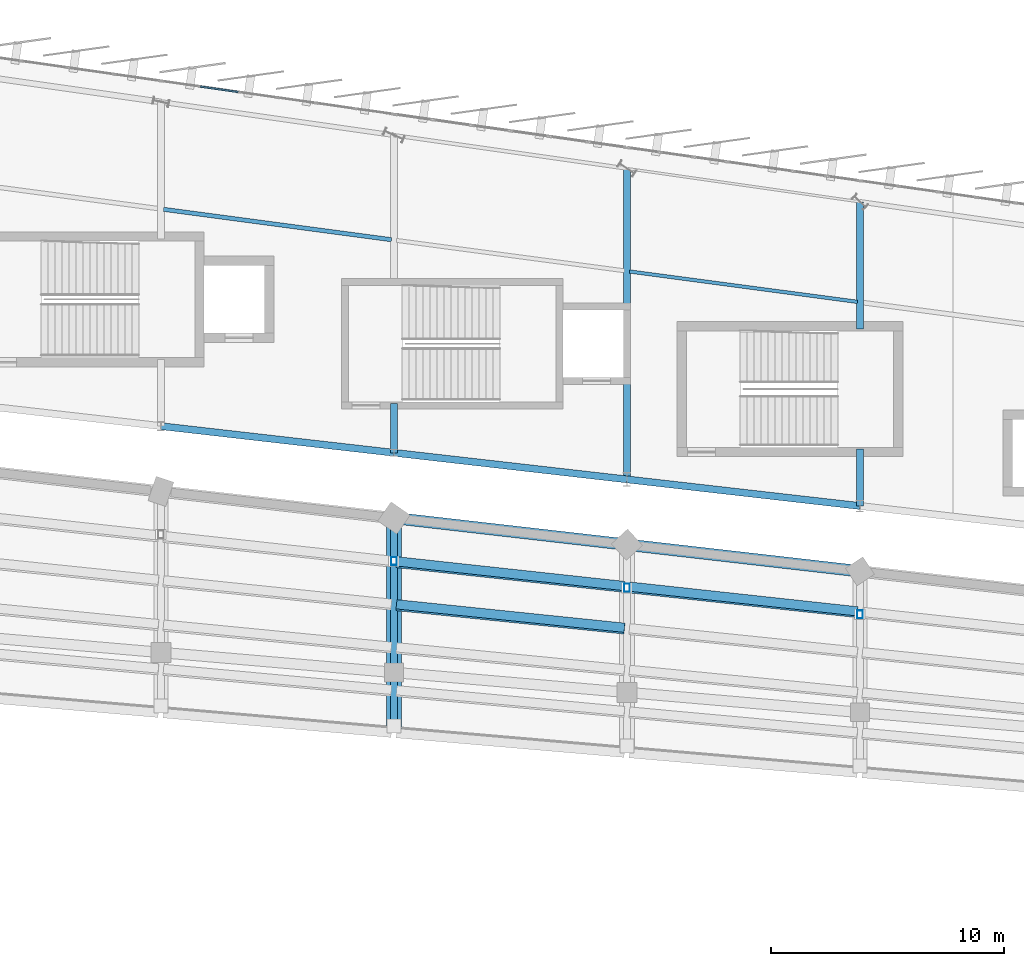
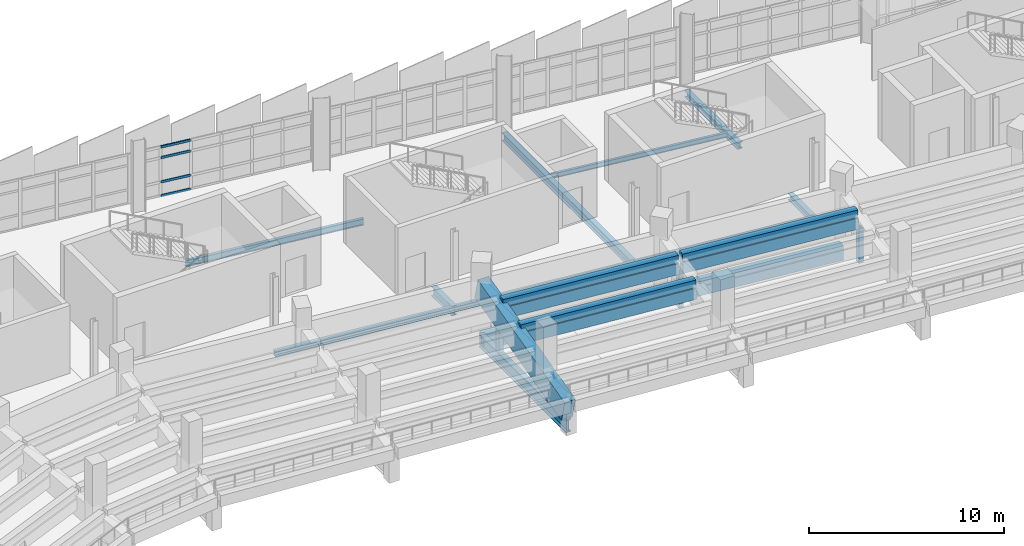
# One storey, part 53 of 120: 19 beams, 7 members, 1 element without a shape of its own.
"""IFC4 building model written with IfcOpenShell, lengths in metres."""

from ifc_helpers import new_model, si_unit, direction, frame, origin, origin_2d, place, context, subcontext, project, spatial, rectangle, hollow_rectangle, i_section, extrude, material, layer, layer_set, material_profile, profile_set, type_object, element, aggregate, save


model = new_model("IFC4")

# Units and contexts
model_context = context("Model", 3, precision=1e-05, world=origin(), true_north=direction((0.0, 1.0)))
body_context = subcontext(model_context, "Body", "Model", "MODEL_VIEW")
ifc_project = project(units=[si_unit("LENGTHUNIT", "METRE"), si_unit("AREAUNIT", "SQUARE_METRE"), si_unit("VOLUMEUNIT", "CUBIC_METRE"), si_unit("PLANEANGLEUNIT", "RADIAN"), si_unit("MASSUNIT", "GRAM", prefix="KILO")], contexts=[model_context])

# Site, building, storey
site_placement = place(None, origin())
site = spatial("IfcSite", under=ifc_project, at=site_placement, CompositionType="ELEMENT")
building_placement = place(site_placement, origin())
building = spatial("IfcBuilding", under=site, at=building_placement, Name="Sohan Crest Arena", CompositionType="ELEMENT")
storey_placement = place(building_placement, frame((0.0, 0.0, 13.5)))
storey = spatial("IfcBuildingStorey", under=building, at=storey_placement, Name="L03", CompositionType="ELEMENT", Elevation=13.5)

# Curtain wall, members
ifc_material_1 = material(Name="Thermally broken anodised aluminium", Category="aluminium")
ifc_layer = layer(ifc_material_1, 0.219970703125, Name="Thermally broken anodised aluminium")
ifc_layer_set = layer_set([ifc_layer], Name="Thermally broken anodised aluminium")
curtain_wall_type = type_object("IfcCurtainWallType", Name="ARC-CW03", PredefinedType="NOTDEFINED", material=ifc_layer_set)
curtain_wall_placement = place(storey_placement, origin())
curtain_wall = element("IfcCurtainWall", 1, at=curtain_wall_placement, inside=storey, type_object=curtain_wall_type, Name="Unitised curtain wall CW-110", PredefinedType="NOTDEFINED")
ifc_material_profile_1 = material_profile(ifc_material_1, rectangle(XDim=0.070068359375, YDim=0.14990234375, at=origin_2d()), Name="ALU-TRAN 70x150")
ifc_profile_set_1 = profile_set([ifc_material_profile_1], Name="Thermally broken anodised aluminium")
member_type_1 = type_object("IfcMemberType", Name="ARC-CW-TR03", PredefinedType="USERDEFINED", material=ifc_profile_set_1)
member_1_placement = place(storey_placement, frame((111.3037109375, 124.999267578125, 0.034912109375), z_axis=(-0.989961518774, 0.141337154868, 0.0), x_axis=(-0.141337154868, -0.989961518774, 0.0)))
member_1 = element("IfcMember", 2, at=member_1_placement, type_object=member_type_1, Name="CW-110 transom 5.1", ObjectType="TRANSOM", PredefinedType="USERDEFINED", context=body_context, shape_type="SweptSolid", body=[
    extrude(rectangle(XDim=0.070068359375, YDim=0.14990234375, at=origin_2d()), origin(), (0.0, 0.0, 1.0), 1.623779296875),
])
member_2_placement = place(storey_placement, frame((111.3037109375, 124.999267578125, 0.89990234375), z_axis=(-0.989961518774, 0.141337154868, 0.0), x_axis=(-0.141337154868, -0.989961518774, 0.0)))
member_2 = element("IfcMember", 3, at=member_2_placement, type_object=member_type_1, Name="CW-110 transom 5.2", ObjectType="TRANSOM", PredefinedType="USERDEFINED", context=body_context, shape_type="SweptSolid", body=[
    extrude(rectangle(XDim=0.070068359375, YDim=0.14990234375, at=origin_2d()), origin(), (0.0, 0.0, 1.0), 1.623779296875),
])
member_3_placement = place(storey_placement, frame((111.3037109375, 124.999267578125, 2.419921875), z_axis=(-0.989961518774, 0.141337154868, 0.0), x_axis=(-0.141337154868, -0.989961518774, 0.0)))
member_3 = element("IfcMember", 4, at=member_3_placement, type_object=member_type_1, Name="CW-110 transom 5.3", ObjectType="TRANSOM", PredefinedType="USERDEFINED", context=body_context, shape_type="SweptSolid", body=[
    extrude(rectangle(XDim=0.070068359375, YDim=0.14990234375, at=origin_2d()), origin(), (0.0, 0.0, 1.0), 1.623779296875),
])
member_4_placement = place(storey_placement, frame((111.3037109375, 124.999267578125, 3.0849609375), z_axis=(-0.989961518774, 0.141337154868, 0.0), x_axis=(-0.141337154868, -0.989961518774, 0.0)))
member_4 = element("IfcMember", 5, at=member_4_placement, type_object=member_type_1, Name="CW-110 transom 5.4", ObjectType="TRANSOM", PredefinedType="USERDEFINED", context=body_context, shape_type="SweptSolid", body=[
    extrude(rectangle(XDim=0.070068359375, YDim=0.14990234375, at=origin_2d()), origin(), (0.0, 0.0, 1.0), 1.623779296875),
])
aggregate(curtain_wall, [member_1, member_2, member_3, member_4])

# Beams
ifc_material_2 = material(Name="Steel S355", Category="steel")
ifc_material_profile_2 = material_profile(ifc_material_2, i_section(OverallWidth=0.14990234375, OverallDepth=0.300048828125, WebThickness=0.007080078125, FlangeThickness=0.0107421875, at=origin_2d()), Name="IPE 300")
ifc_profile_set_2 = profile_set([ifc_material_profile_2], Name="Steel S355")
beam_type_1 = type_object("IfcBeamType", Name="STR-BM-B01", PredefinedType="JOIST", material=ifc_profile_set_2)
beam_1_placement = place(storey_placement, frame((137.89111328125, 115.991943359375, -0.39990234375), z_axis=(-0.991232437337, 0.132129690721, 0.0), x_axis=(-0.132129690721, -0.991232437337, 0.0)))
element("IfcBeam", 6, at=beam_1_placement, inside=storey, type_object=beam_type_1, Name="Structural beam J-L03-1538", PredefinedType="JOIST", context=body_context, shape_type="SweptSolid", body=[
    extrude(i_section(OverallWidth=0.14990234375, OverallDepth=0.300048828125, WebThickness=0.007080078125, FlangeThickness=0.0107421875, at=origin_2d()), origin(), (0.0, 0.0, 1.0), 9.86865234375),
])
ifc_material_profile_3 = material_profile(ifc_material_2, i_section(OverallWidth=0.179931640625, OverallDepth=0.39990234375, WebThickness=0.008544921875, FlangeThickness=0.013427734375, at=origin_2d()), Name="IPE 400")
ifc_profile_set_3 = profile_set([ifc_material_profile_3], Name="Steel S355")
beam_type_2 = type_object("IfcBeamType", Name="STR-BM-B03", PredefinedType="JOIST", material=ifc_profile_set_3)
beam_2_placement = place(storey_placement, frame((117.89111328125, 118.659912109375, -0.449951171875), z_axis=(-0.991229196985, 0.132153997462, 0.0), x_axis=(-0.132153997462, -0.991229196985, 0.0)))
element("IfcBeam", 7, at=beam_2_placement, inside=storey, type_object=beam_type_2, Name="Structural beam J-L03-1547", PredefinedType="JOIST", context=body_context, shape_type="SweptSolid", body=[
    extrude(i_section(OverallWidth=0.179931640625, OverallDepth=0.39990234375, WebThickness=0.008544921875, FlangeThickness=0.013427734375, at=origin_2d()), origin(), (0.0, 0.0, 1.0), 9.868896484375),
])
ifc_material_profile_4 = material_profile(ifc_material_2, i_section(OverallWidth=0.300048828125, OverallDepth=0.590087890625, WebThickness=0.012939453125, FlangeThickness=0.02490234375, at=origin_2d()), Name="HEA 600")
ifc_profile_set_4 = profile_set([ifc_material_profile_4], Name="Steel S355")
beam_type_3 = type_object("IfcBeamType", Name="STR-BM-B11", PredefinedType="BEAM", material=ifc_profile_set_4)
beam_3_placement = place(storey_placement, frame((118.0, 109.513916015625, -0.544921875), z_axis=(0.0, 1.0, 0.0), x_axis=(-1.0, 0.0, 0.0)))
element("IfcBeam", 8, at=beam_3_placement, inside=storey, type_object=beam_type_3, Name="Structural beam G-L03-1543", PredefinedType="BEAM", context=body_context, shape_type="SweptSolid", body=[
    extrude(i_section(OverallWidth=0.300048828125, OverallDepth=0.590087890625, WebThickness=0.012939453125, FlangeThickness=0.02490234375, at=origin_2d()), origin(), (0.0, 0.0, 1.0), 2.106201171875),
])
ifc_material_profile_5 = material_profile(ifc_material_2, i_section(OverallWidth=0.300048828125, OverallDepth=0.300048828125, WebThickness=0.010986328125, FlangeThickness=0.01904296875, at=origin_2d()), Name="HEB 300")
ifc_profile_set_5 = profile_set([ifc_material_profile_5], Name="Steel S355")
beam_type_4 = type_object("IfcBeamType", Name="STR-BM-B12", PredefinedType="BEAM", material=ifc_profile_set_5)
beam_4_placement = place(storey_placement, frame((138.0, 107.22900390625, -0.39990234375), z_axis=(-0.993541269973, 0.113471339378, 0.0), x_axis=(-0.113471339378, -0.993541269973, 0.0)))
element("IfcBeam", 9, at=beam_4_placement, inside=storey, type_object=beam_type_4, Name="Structural beam G-L03-1536", PredefinedType="BEAM", context=body_context, shape_type="SweptSolid", body=[
    extrude(i_section(OverallWidth=0.300048828125, OverallDepth=0.300048828125, WebThickness=0.010986328125, FlangeThickness=0.01904296875, at=origin_2d()), origin(), (0.0, 0.0, 1.0), 10.06494140625),
])
for number, where, z_axis, x_axis, name in (
    (10, (128.0, 108.37109375, -0.39990234375), (-0.993533063564, 0.113543170668, 0.0), (-0.113543170668, -0.993533063564, 0.0), "Structural beam G-L03-1540"),
    (11, (118.0, 109.513916015625, -0.39990234375), (-0.99353032697, 0.113567114035, 0.0), (-0.113567114035, -0.99353032697, 0.0), "Structural beam G-L03-1545"),
):
    element("IfcBeam", number, at=place(storey_placement, frame(where, z_axis=z_axis, x_axis=x_axis)), inside=storey, type_object=beam_type_4, Name=name, PredefinedType="BEAM", context=body_context, shape_type="SweptSolid", body=[
        extrude(i_section(OverallWidth=0.300048828125, OverallDepth=0.300048828125, WebThickness=0.010986328125, FlangeThickness=0.01904296875, at=origin_2d()), origin(), (0.0, 0.0, 1.0), 10.065185546875),
    ])
ifc_material_profile_6 = material_profile(ifc_material_2, i_section(OverallWidth=0.300048828125, OverallDepth=0.39990234375, WebThickness=0.013427734375, FlangeThickness=0.02392578125, at=origin_2d()), Name="HEB 400")
ifc_profile_set_6 = profile_set([ifc_material_profile_6], Name="Steel S355")
beam_type_5 = type_object("IfcBeamType", Name="STR-BM-B13", PredefinedType="BEAM", material=ifc_profile_set_6)
beam_5_placement = place(storey_placement, frame((138.0, 107.22900390625, -0.449951171875), z_axis=(0.0, 1.0, 0.0), x_axis=(-1.0, 0.0, 0.0)))
element("IfcBeam", 12, at=beam_5_placement, inside=storey, type_object=beam_type_5, Name="Structural beam G-L03-1534", PredefinedType="BEAM", context=body_context, shape_type="SweptSolid", body=[
    extrude(i_section(OverallWidth=0.300048828125, OverallDepth=0.39990234375, WebThickness=0.013427734375, FlangeThickness=0.02392578125, at=origin_2d()), origin(), (0.0, 0.0, 1.0), 2.44091796875),
])
beam_6_placement = place(storey_placement, frame((138.0, 114.830078125, -0.449951171875), z_axis=(0.0, 1.0, 0.0), x_axis=(-1.0, 0.0, 0.0)))
element("IfcBeam", 13, at=beam_6_placement, inside=storey, type_object=beam_type_5, Name="Structural beam G-L03-1535", PredefinedType="BEAM", context=body_context, shape_type="SweptSolid", body=[
    extrude(i_section(OverallWidth=0.300048828125, OverallDepth=0.39990234375, WebThickness=0.013427734375, FlangeThickness=0.02392578125, at=origin_2d()), origin(), (0.0, 0.0, 1.0), 5.455810546875),
])
ifc_material_profile_7 = material_profile(ifc_material_2, i_section(OverallWidth=0.300048828125, OverallDepth=0.5, WebThickness=0.014404296875, FlangeThickness=0.028076171875, at=origin_2d()), Name="HEB 500")
ifc_profile_set_7 = profile_set([ifc_material_profile_7], Name="Steel S355")
beam_type_6 = type_object("IfcBeamType", Name="STR-BM-B14", PredefinedType="BEAM", material=ifc_profile_set_7)
beam_7_placement = place(storey_placement, frame((128.0, 108.37109375, -0.5), z_axis=(0.0, 1.0, 0.0), x_axis=(-1.0, 0.0, 0.0)))
element("IfcBeam", 14, at=beam_7_placement, inside=storey, type_object=beam_type_6, Name="Structural beam G-L03-1539", PredefinedType="BEAM", context=body_context, shape_type="SweptSolid", body=[
    extrude(i_section(OverallWidth=0.300048828125, OverallDepth=0.5, WebThickness=0.014404296875, FlangeThickness=0.028076171875, at=origin_2d()), origin(), (0.0, 0.0, 1.0), 13.343017578125),
])
ifc_material_profile_8 = material_profile(ifc_material_2, i_section(OverallWidth=0.300048828125, OverallDepth=0.800048828125, WebThickness=0.017578125, FlangeThickness=0.032958984375, at=origin_2d()), Name="HEB 800")
ifc_profile_set_8 = profile_set([ifc_material_profile_8], Name="Steel S355")
beam_type_7 = type_object("IfcBeamType", Name="STR-BM-B17", PredefinedType="BEAM", material=ifc_profile_set_8)
beam_8_placement = place(storey_placement, frame((118.0, 106.714111328125, -0.64990234375), z_axis=(0.0, -1.0, 0.0), x_axis=(1.0, 0.0, 0.0)))
element("IfcBeam", 15, at=beam_8_placement, inside=storey, type_object=beam_type_7, Name="Structural beam GC-L03-0896", PredefinedType="BEAM", context=body_context, shape_type="SweptSolid", body=[
    extrude(i_section(OverallWidth=0.300048828125, OverallDepth=0.800048828125, WebThickness=0.017578125, FlangeThickness=0.032958984375, at=origin_2d()), origin(), (0.0, 0.0, 1.0), 8.92822265625),
])
ifc_material_3 = material(Name="Precast concrete C50/60", Category="concrete")
ifc_material_profile_9 = material_profile(ifc_material_3, rectangle(XDim=0.64990234375, YDim=1.35009765625, at=origin_2d()), Name="RAKER 650x1350")
ifc_profile_set_9 = profile_set([ifc_material_profile_9], Name="Precast concrete C50/60")
beam_type_8 = type_object("IfcBeamType", Name="STR-BM-RK06", PredefinedType="USERDEFINED", material=ifc_profile_set_9)
beam_9_placement = place(storey_placement, frame((118.0, 97.785888671875, 0.35009765625), z_axis=(0.0, 0.968388832398, 0.249445523686), x_axis=(-1.0, 0.0, 0.0)))
element("IfcBeam", 16, at=beam_9_placement, inside=storey, type_object=beam_type_8, Name="Structural beam RKU-L03-0897", ObjectType="RAKER", PredefinedType="USERDEFINED", context=body_context, shape_type="SweptSolid", body=[
    extrude(rectangle(XDim=0.64990234375, YDim=1.35009765625, at=origin_2d()), origin(), (0.0, 0.0, 1.0), 9.2197265625),
])
ifc_material_4 = material(Name="Concrete C40/50", Category="concrete")
ifc_material_profile_10 = material_profile(ifc_material_4, rectangle(XDim=0.39990234375, YDim=0.699951171875, at=origin_2d()), Name="RC-BM 400x700")
ifc_profile_set_10 = profile_set([ifc_material_profile_10], Name="Concrete C40/50")
beam_type_9 = type_object("IfcBeamType", Name="STR-BM-TB01", PredefinedType="BEAM", material=ifc_profile_set_10)
beam_10_placement = place(storey_placement, frame((137.89111328125, 102.639892578125, 2.236083984375), z_axis=(-0.994190266823, 0.107636951619, 0.0), x_axis=(-0.107636951619, -0.994190266823, 0.0)))
element("IfcBeam", 17, at=beam_10_placement, inside=storey, type_object=beam_type_9, Name="Upper tier rear stringer TSB-U234B", PredefinedType="BEAM", context=body_context, shape_type="SweptSolid", body=[
    extrude(rectangle(XDim=0.39990234375, YDim=0.699951171875, at=origin_2d()), origin(), (0.0, 0.0, 1.0), 9.83935546875),
])
beam_11_placement = place(storey_placement, frame((137.89111328125, 102.708984375, 2.696044921875), z_axis=(-0.994158361485, 0.107931238706, 0.0), x_axis=(-0.107931238706, -0.994158361485, 0.0)))
element("IfcBeam", 18, at=beam_11_placement, inside=storey, type_object=beam_type_9, Name="Upper tier front stringer TSB-U235A", PredefinedType="BEAM", context=body_context, shape_type="SweptSolid", body=[
    extrude(rectangle(XDim=0.39990234375, YDim=0.699951171875, at=origin_2d()), origin(), (0.0, 0.0, 1.0), 9.839599609375),
])
beam_12_placement = place(storey_placement, frame((127.89111328125, 101.93408203125, 1.77587890625), z_axis=(-0.994775234017, 0.102089342175, 0.0), x_axis=(-0.102089342175, -0.994775234017, 0.0)))
element("IfcBeam", 19, at=beam_12_placement, inside=storey, type_object=beam_type_9, Name="Upper tier rear stringer TSB-U243B", PredefinedType="BEAM", context=body_context, shape_type="SweptSolid", body=[
    extrude(rectangle(XDim=0.39990234375, YDim=0.699951171875, at=origin_2d()), origin(), (0.0, 0.0, 1.0), 9.83349609375),
])
beam_13_placement = place(storey_placement, frame((127.89111328125, 102.0048828125, 2.236083984375), z_axis=(-0.994742406315, 0.102408715834, 0.0), x_axis=(-0.102408715834, -0.994742406315, 0.0)))
element("IfcBeam", 20, at=beam_13_placement, inside=storey, type_object=beam_type_9, Name="Upper tier front stringer TSB-U244A", PredefinedType="BEAM", context=body_context, shape_type="SweptSolid", body=[
    extrude(rectangle(XDim=0.39990234375, YDim=0.699951171875, at=origin_2d()), origin(), (0.0, 0.0, 1.0), 9.833984375),
])
for number, where, z_axis, x_axis, name in (
    (21, (127.89111328125, 103.722900390625, 2.236083984375), (-0.994179641162, 0.107735050462, 0.0), (-0.107735050462, -0.994179641162, 0.0), "Upper tier rear stringer TSB-U244B"),
    (22, (127.89111328125, 103.794921875, 2.696044921875), (-0.99416900605, 0.107833146159, 0.0), (-0.107833146159, -0.99416900605, 0.0), "Upper tier front stringer TSB-U245A"),
):
    element("IfcBeam", number, at=place(storey_placement, frame(where, z_axis=z_axis, x_axis=x_axis)), inside=storey, type_object=beam_type_9, Name=name, PredefinedType="BEAM", context=body_context, shape_type="SweptSolid", body=[
        extrude(rectangle(XDim=0.39990234375, YDim=0.699951171875, at=origin_2d()), origin(), (0.0, 0.0, 1.0), 9.839599609375),
    ])
ifc_material_profile_11 = material_profile(ifc_material_4, rectangle(XDim=0.5, YDim=0.89990234375, at=origin_2d()), Name="RC-BM 500x900")
ifc_profile_set_11 = profile_set([ifc_material_profile_11], Name="Concrete C40/50")
beam_type_10 = type_object("IfcBeamType", Name="STR-BM-TB03", PredefinedType="BEAM", material=ifc_profile_set_11)
beam_14_placement = place(storey_placement, frame((138.0, 104.428955078125, -0.699951171875), z_axis=(-0.993541269973, 0.113471339378, 0.0), x_axis=(-0.113471339378, -0.993541269973, 0.0)))
element("IfcBeam", 23, at=beam_14_placement, inside=storey, type_object=beam_type_10, Name="Structural beam TB-L03-0741", PredefinedType="BEAM", context=body_context, shape_type="SweptSolid", body=[
    extrude(rectangle(XDim=0.5, YDim=0.89990234375, at=origin_2d()), origin(), (0.0, 0.0, 1.0), 10.06494140625),
])
beam_15_placement = place(storey_placement, frame((128.0, 105.571044921875, -0.699951171875), z_axis=(-0.99353032697, 0.113567114035, 0.0), x_axis=(-0.113567114035, -0.99353032697, 0.0)))
element("IfcBeam", 24, at=beam_15_placement, inside=storey, type_object=beam_type_10, Name="Structural beam TB-L03-0763", PredefinedType="BEAM", context=body_context, shape_type="SweptSolid", body=[
    extrude(rectangle(XDim=0.5, YDim=0.89990234375, at=origin_2d()), origin(), (0.0, 0.0, 1.0), 10.065185546875),
])

# Members
ifc_material_profile_12 = material_profile(ifc_material_2, hollow_rectangle(XDim=0.25, YDim=0.35009765625, WallThickness=0.012451171875, at=origin_2d()), Name="RHS 350x250x12.5")
ifc_profile_set_12 = profile_set([ifc_material_profile_12], Name="Steel S355")
member_type_2 = type_object("IfcMemberType", Name="STR-MEM-CH04", PredefinedType="CHORD", material=ifc_profile_set_12)
member_5_placement = place(storey_placement, frame((138.0, 102.5791015625, -0.260009765625), z_axis=(0.0, 0.0, 1.0), x_axis=(1.0, 0.0, 0.0)))
element("IfcMember", 25, at=member_5_placement, inside=storey, type_object=member_type_2, Name="Upper tier rear raker support post RKP-O31", PredefinedType="CHORD", context=body_context, shape_type="SweptSolid", body=[
    extrude(hollow_rectangle(XDim=0.25, YDim=0.35009765625, WallThickness=0.012451171875, at=origin_2d()), origin(), (0.0, 0.0, 1.0), 2.159912109375),
])
member_6_placement = place(storey_placement, frame((128.0, 103.720947265625, -0.260009765625), z_axis=(0.0, 0.0, 1.0), x_axis=(1.0, 0.0, 0.0)))
element("IfcMember", 26, at=member_6_placement, inside=storey, type_object=member_type_2, Name="Upper tier rear raker support post RKP-O32", PredefinedType="CHORD", context=body_context, shape_type="SweptSolid", body=[
    extrude(hollow_rectangle(XDim=0.25, YDim=0.35009765625, WallThickness=0.012451171875, at=origin_2d()), origin(), (0.0, 0.0, 1.0), 2.135009765625),
])
member_7_placement = place(storey_placement, frame((118.0, 104.864013671875, -0.260009765625), z_axis=(0.0, 0.0, 1.0), x_axis=(1.0, 0.0, 0.0)))
element("IfcMember", 27, at=member_7_placement, inside=storey, type_object=member_type_2, Name="Upper tier rear raker support post RKP-O33", PredefinedType="CHORD", context=body_context, shape_type="SweptSolid", body=[
    extrude(hollow_rectangle(XDim=0.25, YDim=0.35009765625, WallThickness=0.012451171875, at=origin_2d()), origin(), (0.0, 0.0, 1.0), 2.0849609375),
])

save(model, "model.ifc")
